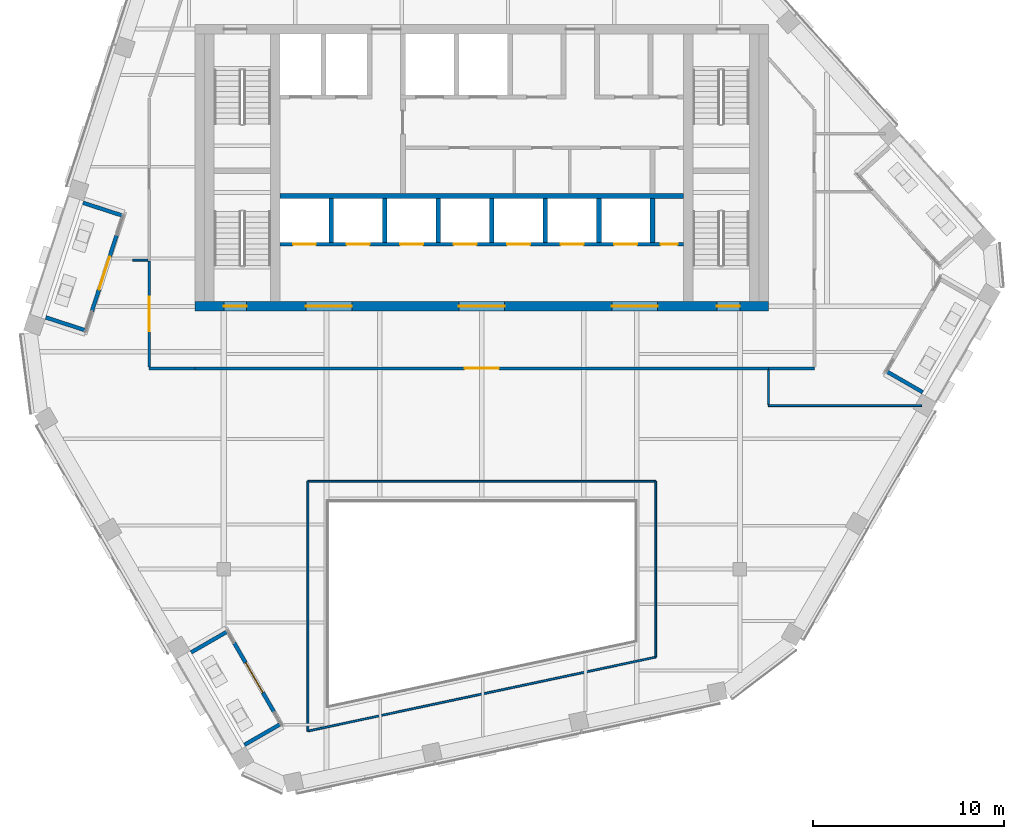
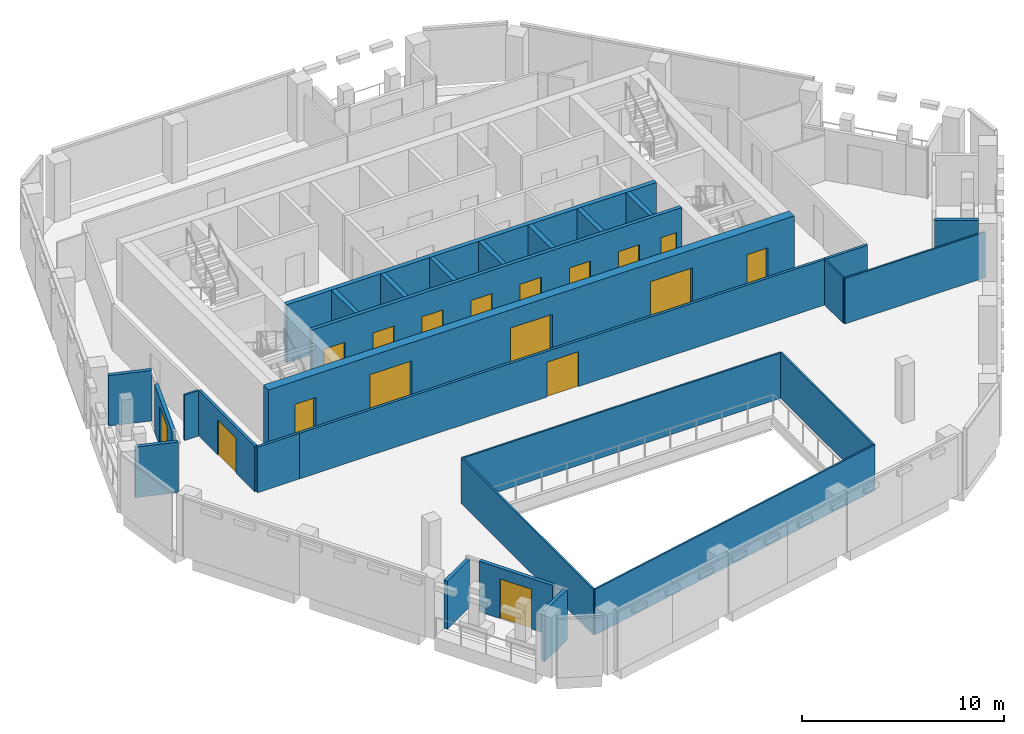
# One storey, part 13 of 22: 28 walls, 17 doors, 17 openings.
"""IFC4 building model written with IfcOpenShell, lengths in metres."""

import ifcopenshell
import ifcopenshell.guid

model = None  # the IFC model being written
_history = None  # IfcOwnerHistory: only IFC2X3 demands one
_inside = {}  # id of a spatial element -> (the spatial element, [elements in it])
_under = {}  # id of a project, library or spatial element -> (it, [spatial elements below it])
_declared = {}  # id of a project -> (the project, [libraries it declares])
_typed = {}  # id of a type object -> (the type object, [elements of that type])
_made_of = {}  # id of a material, layer set ... -> (it, [elements and type objects made of it])


def new_model(schema):
    """Start an empty IFC model of exactly this schema.

    Asked for "IFC4X3", IfcOpenShell would pick the latest addendum, in which some entities
    have other attributes; the version numbers below select the first issue.
    IFC2X3 requires an IfcOwnerHistory on every rooted entity: one is made here for all.
    """
    global model, _history
    if schema == "IFC4X3":
        model = ifcopenshell.file(schema_version=(4, 3, 0, 0))
    else:
        model = ifcopenshell.file(schema=schema)
    _inside.clear()
    _under.clear()
    _declared.clear()
    _typed.clear()
    _made_of.clear()
    _history = None
    if model.schema == "IFC2X3":
        org = make("IfcOrganization", Name="unknown")
        user = make(
            "IfcPersonAndOrganization",
            ThePerson=make("IfcPerson", FamilyName="unknown"),
            TheOrganization=org,
        )
        app = make(
            "IfcApplication",
            ApplicationDeveloper=org,
            Version="unknown",
            ApplicationFullName="unknown",
            ApplicationIdentifier="unknown",
        )
        _history = make(
            "IfcOwnerHistory",
            OwningUser=user,
            OwningApplication=app,
            ChangeAction="ADDED",
            CreationDate=0,
        )
    return model


def make(cls, **values):
    """One entity of the class cls with the attributes given. An attribute that is None is left unset."""
    return model.create_entity(
        cls, **{name: value for name, value in values.items() if value is not None}
    )


def rooted(cls, **values):
    """An entity with a GlobalId (a new one), such as an element, a storey or a relation."""
    return make(cls, GlobalId=ifcopenshell.guid.new(), OwnerHistory=_history, **values)


def si_unit(unit_type, name, prefix=None):
    """IfcSIUnit, for example si_unit("LENGTHUNIT", "METRE", prefix="MILLI")."""
    return make("IfcSIUnit", UnitType=unit_type, Prefix=prefix, Name=name)


def assignment(units):
    """IfcUnitAssignment: the units of a project."""
    return None if units is None else make("IfcUnitAssignment", Units=units)


def point(xyz):
    """IfcCartesianPoint."""
    return None if xyz is None else make("IfcCartesianPoint", Coordinates=xyz)


def direction(xyz):
    """IfcDirection."""
    return None if xyz is None else make("IfcDirection", DirectionRatios=xyz)


def frame(location, z_axis=None, x_axis=None):
    """IfcAxis2Placement3D, a coordinate frame: its origin and axes. An axis left out is left unset."""
    return make(
        "IfcAxis2Placement3D",
        Location=point(location),
        Axis=direction(z_axis),
        RefDirection=direction(x_axis),
    )


def frame_2d(location, x_axis=None):
    """IfcAxis2Placement2D, a coordinate frame in the plane: its origin and x axis."""
    return make(
        "IfcAxis2Placement2D", Location=point(location), RefDirection=direction(x_axis)
    )


def origin():
    """The frame at (0, 0, 0) with its axes left unset."""
    return frame((0.0, 0.0, 0.0))


def place(relative_to, where):
    """IfcLocalPlacement: puts the frame where relative to a parent placement (None: the world)."""
    return make(
        "IfcLocalPlacement", PlacementRelTo=relative_to, RelativePlacement=where
    )


def context(
    kind, dimensions, precision=None, world=None, true_north=None, identifier=None
):
    """IfcGeometricRepresentationContext, for example the 3D "Model" context."""
    return make(
        "IfcGeometricRepresentationContext",
        ContextIdentifier=identifier,
        ContextType=kind,
        CoordinateSpaceDimension=dimensions,
        Precision=precision,
        WorldCoordinateSystem=world,
        TrueNorth=true_north,
    )


def subcontext(parent, identifier, kind, view, scale=None):
    """IfcGeometricRepresentationSubContext, for example "Body" below "Model"."""
    return make(
        "IfcGeometricRepresentationSubContext",
        ContextIdentifier=identifier,
        ContextType=kind,
        ParentContext=parent,
        TargetScale=scale,
        TargetView=view,
    )


def project(units=None, contexts=None):
    """IfcProject with its units and contexts."""
    return rooted(
        "IfcProject",
        Name="project",
        RepresentationContexts=contexts,
        UnitsInContext=assignment(units),
    )


def spatial(cls, under=None, at=None, **own):
    """A site, building, storey or space (cls), placed at a placement, below another one or the project."""
    s = rooted(cls, ObjectPlacement=at, **own)
    if under is not None:
        _under.setdefault(under.id(), (under, []))[1].append(s)
    return s


def profile(cls, at=None, kind="AREA", **sizes):
    """A parametric profile (cls). Its sizes go by their IFC names, for example OverallWidth=200.0."""
    return make(cls, ProfileType=kind, Position=at, **sizes)


def rectangle(**sizes):
    """IfcRectangleProfileDef."""
    return profile("IfcRectangleProfileDef", **sizes)


def extrude(swept, where, along, depth):
    """IfcExtrudedAreaSolid: the profile swept, set in the frame where, extruded along a direction by depth."""
    return make(
        "IfcExtrudedAreaSolid",
        SweptArea=swept,
        Position=where,
        ExtrudedDirection=direction(along),
        Depth=depth,
    )


def shape(context_of_items, identifier, shape_type, items):
    """IfcShapeRepresentation: the items that make up one representation, for example the "Body"."""
    return make(
        "IfcShapeRepresentation",
        ContextOfItems=context_of_items,
        RepresentationIdentifier=identifier,
        RepresentationType=shape_type,
        Items=items,
    )


def material(Name=None, Category=None):
    """IfcMaterial."""
    return make("IfcMaterial", Name=Name, Category=Category)


def layer(
    of_material, thickness, ventilated=None, Name=None, Category=None, Priority=None
):
    """IfcMaterialLayer: one layer of a wall or slab, of a material (None: an air gap)."""
    return make(
        "IfcMaterialLayer",
        Material=of_material,
        LayerThickness=thickness,
        IsVentilated=ventilated,
        Name=Name,
        Category=Category,
        Priority=Priority,
    )


def layer_set(layers, Name=None):
    """IfcMaterialLayerSet."""
    return make("IfcMaterialLayerSet", MaterialLayers=layers, LayerSetName=Name)


def made_of(thing, what):
    """Note that an element or type object is made of a material, layer set ...; save() writes the relation."""
    if what is not None:
        _made_of.setdefault(what.id(), (what, []))[1].append(thing)
    return thing


def type_object(cls, material=None, **own):
    """A type object (cls), such as IfcWallType, which elements share."""
    return made_of(rooted(cls, **own), material)


def element(
    cls,
    number,
    at=None,
    inside=None,
    cuts=None,
    type_object=None,
    material=None,
    context=None,
    identifier="Body",
    shape_type=None,
    held_by="IfcProductDefinitionShape",
    body=None,
    shapes=None,
    **own,
):
    """One element of the class cls, such as IfcWall. Its Tag is "e" and its number.

    at: its placement. inside: the storey or other place that contains it. cuts: it is an
    opening in that element (IfcRelVoidsElement). A single representation is given by context,
    identifier, shape_type and body (its items); several are given by shapes. held_by: the class
    of the entity that holds the representations. save() writes the other relations.
    """
    e = rooted(cls, Tag="e%d" % number, ObjectPlacement=at, **own)
    if body is not None:
        shapes = [shape(context, identifier, shape_type, body)]
    if shapes is not None:
        e.Representation = make(held_by, Representations=shapes)
    if inside is not None:
        _inside.setdefault(inside.id(), (inside, []))[1].append(e)
    if cuts is not None:
        rooted(
            "IfcRelVoidsElement", RelatingBuildingElement=cuts, RelatedOpeningElement=e
        )
    if type_object is not None:
        _typed.setdefault(type_object.id(), (type_object, []))[1].append(e)
    return made_of(e, material)


def fill(opening, filler):
    """IfcRelFillsElement: the door or window that sits in an opening."""
    return rooted(
        "IfcRelFillsElement",
        RelatingOpeningElement=opening,
        RelatedBuildingElement=filler,
    )


def aggregate(whole, parts):
    """IfcRelAggregates: a whole, such as a stair, and the parts it consists of."""
    return rooted("IfcRelAggregates", RelatingObject=whole, RelatedObjects=parts)


def save(model, path):
    """Write the relations noted so far, then the file.

    IfcRelAggregates (storeys below a building ...), IfcRelContainedInSpatialStructure (elements
    in a storey), IfcRelDefinesByType, IfcRelAssociatesMaterial and IfcRelDeclares: one each for
    every whole, place, type object, material and project.
    """
    for whole, parts in _under.values():
        aggregate(whole, parts)
    for where, things in _inside.values():
        rooted(
            "IfcRelContainedInSpatialStructure",
            RelatedElements=things,
            RelatingStructure=where,
        )
    for kind, things in _typed.values():
        rooted("IfcRelDefinesByType", RelatedObjects=things, RelatingType=kind)
    for what, things in _made_of.values():
        rooted("IfcRelAssociatesMaterial", RelatedObjects=things, RelatingMaterial=what)
    for by, libraries in _declared.values():
        rooted("IfcRelDeclares", RelatingContext=by, RelatedDefinitions=libraries)
    model.write(path)


model = new_model("IFC4")

# Units and contexts
model_context = context("Model", 3, precision=1e-05, world=origin(), true_north=direction((0.0, 1.0)))
body_context = subcontext(model_context, "Body", "Model", "MODEL_VIEW")
ifc_project = project(units=[si_unit("LENGTHUNIT", "METRE"), si_unit("AREAUNIT", "SQUARE_METRE"), si_unit("VOLUMEUNIT", "CUBIC_METRE"), si_unit("PLANEANGLEUNIT", "RADIAN"), si_unit("MASSUNIT", "GRAM", prefix="KILO")], contexts=[model_context])

# Site, building, storey
site_placement = place(None, origin())
site = spatial("IfcSite", under=ifc_project, at=site_placement, CompositionType="ELEMENT")
building_placement = place(site_placement, origin())
building = spatial("IfcBuilding", under=site, at=building_placement, Name="Isthmus Gate Tower", CompositionType="ELEMENT")
storey_placement = place(building_placement, frame((0.0, 0.0, 264.60009765625)))
storey = spatial("IfcBuildingStorey", under=building, at=storey_placement, Name="L67", CompositionType="ELEMENT", Elevation=264.60009765625)

# Walls
ifc_material_1 = material(Name="Fire-rated laminated glass in steel frame", Category="steel")
ifc_layer_1 = layer(ifc_material_1, 0.10009765625)
ifc_layer_set_1 = layer_set([ifc_layer_1], Name="ATRIUM SCREEN GLAZED WALL 100 120 MIN")
wall_type_1 = type_object("IfcWallType", Name="ATRIUM SCREEN GLAZED WALL 100 120 MIN", PredefinedType="PARTITIONING", material=ifc_layer_set_1)
wall_1_placement = place(storey_placement, frame((-9.10009765625, -8.89990234375, 0.0), z_axis=(0.0, 0.0, 1.0), x_axis=(1.0, 0.0, 0.0)))
element("IfcWall", 1, at=wall_1_placement, inside=storey, type_object=wall_type_1, Name="L67 atrium screen", PredefinedType="PARTITIONING", context=body_context, shape_type="SweptSolid", body=[
    extrude(rectangle(XDim=18.2001953125, YDim=0.10009765625, at=frame_2d((9.10009765625, 0.0))), origin(), (0.0, 0.0, 1.0), 2.75048828125),
])
wall_2_placement = place(storey_placement, frame((9.10009765625, -8.89990234375, 0.0), z_axis=(0.0, 0.0, 1.0), x_axis=(0.0, -1.0, 0.0)))
element("IfcWall", 2, at=wall_2_placement, inside=storey, type_object=wall_type_1, Name="L67 atrium screen", PredefinedType="PARTITIONING", context=body_context, shape_type="SweptSolid", body=[
    extrude(rectangle(XDim=9.200927734375, YDim=0.10009765625, at=frame_2d((4.6005859375, 0.0))), origin(), (0.0, 0.0, 1.0), 2.75048828125),
])
wall_3_placement = place(storey_placement, frame((9.10009765625, -18.100830078125, 0.0), z_axis=(0.0, 0.0, 1.0), x_axis=(-0.978146710971, -0.207915876778, 0.0)))
element("IfcWall", 3, at=wall_3_placement, inside=storey, type_object=wall_type_1, Name="L67 atrium screen", PredefinedType="PARTITIONING", context=body_context, shape_type="SweptSolid", body=[
    extrude(rectangle(XDim=18.60693359375, YDim=0.10009765625, at=frame_2d((9.303466796875, 0.0))), origin(), (0.0, 0.0, 1.0), 2.75048828125),
])
wall_4_placement = place(storey_placement, frame((-9.10009765625, -21.969482421875, 0.0), z_axis=(0.0, 0.0, 1.0), x_axis=(0.0, 1.0, 0.0)))
element("IfcWall", 4, at=wall_4_placement, inside=storey, type_object=wall_type_1, Name="L67 atrium screen", PredefinedType="PARTITIONING", context=body_context, shape_type="SweptSolid", body=[
    extrude(rectangle(XDim=13.069580078125, YDim=0.10009765625, at=frame_2d((6.53466796875, 0.0))), origin(), (0.0, 0.0, 1.0), 2.75048828125),
])

# Wall, opening, door
ifc_material_2 = material(Name="Gypsum board on steel studs, fire-rated", Category="steel")
ifc_layer_2 = layer(ifc_material_2, 0.14990234375)
ifc_layer_set_2 = layer_set([ifc_layer_2], Name="CORRIDOR WALL 150 60 MIN")
wall_type_2 = type_object("IfcWallType", Name="CORRIDOR WALL 150 60 MIN", PredefinedType="PARTITIONING", material=ifc_layer_set_2)
wall_5_placement = place(storey_placement, frame((15.0, -3.0, 0.0), z_axis=(0.0, 0.0, 1.0), x_axis=(-1.0, 0.0, 0.0)))
wall_5 = element("IfcWall", 5, at=wall_5_placement, inside=storey, type_object=wall_type_2, Name="L67 Corridor Wall 150 60 Min", PredefinedType="PARTITIONING", context=body_context, shape_type="SweptSolid", body=[
    extrude(rectangle(XDim=30.0, YDim=0.14990234375, at=frame_2d((15.0, 0.0))), origin(), (0.0, 0.0, 1.0), 2.75048828125),
])
opening_1_placement = place(wall_5_placement, frame((14.10009765625, 0.0, 0.0)))
opening_1 = element("IfcOpeningElement", 6, at=opening_1_placement, cuts=wall_5, Name="Opening DT-T6A-07", PredefinedType="OPENING", context=body_context, shape_type="SweptSolid", body=[
    extrude(rectangle(XDim=1.800048828125, YDim=2.10009765625, at=frame_2d((0.89990234375, 1.050048828125))), frame((0.0, 0.0849609375, 0.0), z_axis=(0.0, -1.0, 0.0), x_axis=(1.0, 0.0, 0.0)), (0.0, 0.0, 1.0), 0.169921875),
])
ifc_material_3 = material(Name="Solid core timber door leaf, fire-rated", Category="wood")
door_type_1 = type_object("IfcDoorType", Name="FIRE DOOR ROOM 1800 X 2100 60 MIN", OperationType="DOUBLE_DOOR_DOUBLE_SWING", PredefinedType="DOOR", material=ifc_material_3)
door_1_placement = place(opening_1_placement, origin())
door_1 = element("IfcDoor", 7, at=door_1_placement, inside=storey, type_object=door_type_1, Name="L67 room door", OperationType="DOUBLE_DOOR_DOUBLE_SWING", OverallHeight=2.10009765625, OverallWidth=1.800048828125, PredefinedType="DOOR", context=body_context, shape_type="SweptSolid", body=[
    extrude(rectangle(XDim=1.800048828125, YDim=2.10009765625, at=frame_2d((0.89990234375, 1.050048828125))), frame((0.0, 0.02490234375, 0.0), z_axis=(0.0, -1.0, 0.0), x_axis=(1.0, 0.0, 0.0)), (0.0, 0.0, 1.0), 0.050048828125),
])
fill(opening_1, door_1)

# Walls
for number, where, z_axis, x_axis, name in (
    (8, (-15.0, -3.0, 0.0), (0.0, 0.0, 1.0), (-1.0, 0.0, 0.0), "L67 Corridor Wall 150 60 Min"),
    (9, (17.39990234375, -3.0, 0.0), (0.0, 0.0, 1.0), (-1.0, 0.0, 0.0), "L67 Corridor Wall 150 60 Min"),
):
    element("IfcWall", number, at=place(storey_placement, frame(where, z_axis=z_axis, x_axis=x_axis)), inside=storey, type_object=wall_type_2, Name=name, PredefinedType="PARTITIONING", context=body_context, shape_type="SweptSolid", body=[
        extrude(rectangle(XDim=2.39990234375, YDim=0.14990234375, at=frame_2d((1.199951171875, 0.0))), origin(), (0.0, 0.0, 1.0), 2.75048828125),
    ])

# Wall, opening, door
wall_6_placement = place(storey_placement, frame((-17.39990234375, -2.925048828125, 0.0), z_axis=(0.0, 0.0, 1.0), x_axis=(0.0, 1.0, 0.0)))
wall_6 = element("IfcWall", 10, at=wall_6_placement, inside=storey, type_object=wall_type_2, Name="L67 Corridor Wall 150 60 Min", PredefinedType="PARTITIONING", context=body_context, shape_type="SweptSolid", body=[
    extrude(rectangle(XDim=5.545166015625, YDim=0.14990234375, at=frame_2d((2.7724609375, 0.0))), origin(), (0.0, 0.0, 1.0), 2.75048828125),
])
opening_2_placement = place(wall_6_placement, frame((1.87255859375, 0.0, 0.0)))
opening_2 = element("IfcOpeningElement", 11, at=opening_2_placement, cuts=wall_6, Name="Opening DT-T6A-08", PredefinedType="OPENING", context=body_context, shape_type="SweptSolid", body=[
    extrude(rectangle(XDim=1.800048828125, YDim=2.10009765625, at=frame_2d((0.89990234375, 1.050048828125))), frame((0.0, 0.0849609375, 0.0), z_axis=(0.0, -1.0, 0.0), x_axis=(1.0, 0.0, 0.0)), (0.0, 0.0, 1.0), 0.169921875),
])
door_2_placement = place(opening_2_placement, origin())
door_2 = element("IfcDoor", 12, at=door_2_placement, inside=storey, type_object=door_type_1, Name="L67 room door", OperationType="DOUBLE_DOOR_DOUBLE_SWING", OverallHeight=2.10009765625, OverallWidth=1.800048828125, PredefinedType="DOOR", context=body_context, shape_type="SweptSolid", body=[
    extrude(rectangle(XDim=1.800048828125, YDim=2.10009765625, at=frame_2d((0.89990234375, 1.050048828125))), frame((0.0, 0.02490234375, 0.0), z_axis=(0.0, -1.0, 0.0), x_axis=(1.0, 0.0, 0.0)), (0.0, 0.0, 1.0), 0.050048828125),
])
fill(opening_2, door_2)

ifc_material_4 = material(Name="Precast concrete C40/50", Category="concrete")
ifc_layer_3 = layer(ifc_material_4, 0.199951171875)
ifc_layer_set_3 = layer_set([ifc_layer_3], Name="LOGGIA WALL 200")
wall_type_3 = type_object("IfcWallType", Name="LOGGIA WALL 200", PredefinedType="SOLIDWALL", material=ifc_layer_set_3)
wall_7_placement = place(storey_placement, frame((-19.10009765625, 3.987548828125, 0.0), z_axis=(0.0, 0.0, 1.0), x_axis=(-0.30901640812, -0.951056706781, 0.0)))
wall_7 = element("IfcWall", 13, at=wall_7_placement, inside=storey, type_object=wall_type_3, Name="LOGGIA BACK WALL", PredefinedType="SOLIDWALL", context=body_context, shape_type="SweptSolid", body=[
    extrude(rectangle(XDim=4.199951171875, YDim=0.199951171875, at=frame_2d((2.10009765625, 0.0))), origin(), (0.0, 0.0, 1.0), 2.896728515625),
])
opening_3_placement = place(wall_7_placement, frame((1.199951171875, 0.0, 0.0)))
opening_3 = element("IfcOpeningElement", 14, at=opening_3_placement, cuts=wall_7, Name="Opening DE67-02", PredefinedType="OPENING", context=body_context, shape_type="SweptSolid", body=[
    extrude(rectangle(XDim=1.800048828125, YDim=2.39990234375, at=frame_2d((0.89990234375, 1.199951171875))), frame((0.0, 0.10986328125, 0.0), z_axis=(0.0, -1.0, 0.0), x_axis=(1.0, 0.0, 0.0)), (0.0, 0.0, 1.0), 0.219970703125),
])
ifc_material_5 = material(Name="Aluminium, pale champagne anodised, laminated glass", Category="aluminium")
door_type_2 = type_object("IfcDoorType", Name="LOGGIA DOOR SLIDING 1800 X 2400", OperationType="DOUBLE_DOOR_SLIDING", PredefinedType="DOOR", material=ifc_material_5)
door_3_placement = place(opening_3_placement, origin())
door_3 = element("IfcDoor", 15, at=door_3_placement, inside=storey, type_object=door_type_2, Name="DOOR DE67-02", OperationType="SINGLE_SWING_LEFT", OverallHeight=2.39990234375, OverallWidth=1.800048828125, PredefinedType="DOOR", context=body_context, shape_type="SweptSolid", body=[
    extrude(rectangle(XDim=1.800048828125, YDim=2.39990234375, at=frame_2d((0.89990234375, 1.199951171875))), frame((0.0, 0.02490234375, 0.0), z_axis=(0.0, -1.0, 0.0), x_axis=(1.0, 0.0, 0.0)), (0.0, 0.0, 1.0), 0.050048828125),
])
fill(opening_3, door_3)

# Walls
wall_8_placement = place(storey_placement, frame((-20.86669921875, 5.669189453125, 0.0), z_axis=(0.0, 0.0, 1.0), x_axis=(0.951059534302, -0.30900770575, 0.0)))
element("IfcWall", 16, at=wall_8_placement, inside=storey, type_object=wall_type_3, Name="LOGGIA SIDE WALL", PredefinedType="SOLIDWALL", context=body_context, shape_type="SweptSolid", body=[
    extrude(rectangle(XDim=2.183837890625, YDim=0.199951171875, at=frame_2d((1.091796875, 0.0))), origin(), (0.0, 0.0, 1.0), 3.0498046875),
])
wall_9_placement = place(storey_placement, frame((-22.815673828125, -0.328857421875, 0.0), z_axis=(0.0, 0.0, 1.0), x_axis=(0.951037354511, -0.309075962062, 0.0)))
element("IfcWall", 17, at=wall_9_placement, inside=storey, type_object=wall_type_3, Name="LOGGIA SIDE WALL", PredefinedType="SOLIDWALL", context=body_context, shape_type="SweptSolid", body=[
    extrude(rectangle(XDim=2.18408203125, YDim=0.199951171875, at=frame_2d((1.092041015625, 0.0))), origin(), (0.0, 0.0, 1.0), 3.0498046875),
])

# Wall, opening, door
wall_10_placement = place(storey_placement, frame((-12.9580078125, -17.356201171875, 0.0), z_axis=(0.0, 0.0, 1.0), x_axis=(0.500027713859, -0.866009402589, 0.0)))
wall_10 = element("IfcWall", 18, at=wall_10_placement, inside=storey, type_object=wall_type_3, Name="LOGGIA BACK WALL", PredefinedType="SOLIDWALL", context=body_context, shape_type="SweptSolid", body=[
    extrude(rectangle(XDim=4.199951171875, YDim=0.199951171875, at=frame_2d((2.10009765625, 0.0))), origin(), (0.0, 0.0, 1.0), 3.0498046875),
])
opening_4_placement = place(wall_10_placement, frame((1.199951171875, 0.0, 0.0)))
opening_4 = element("IfcOpeningElement", 19, at=opening_4_placement, cuts=wall_10, Name="Opening DE67-03", PredefinedType="OPENING", context=body_context, shape_type="SweptSolid", body=[
    extrude(rectangle(XDim=1.800048828125, YDim=2.39990234375, at=frame_2d((0.89990234375, 1.199951171875))), frame((0.0, 0.10986328125, 0.0), z_axis=(0.0, -1.0, 0.0), x_axis=(1.0, 0.0, 0.0)), (0.0, 0.0, 1.0), 0.219970703125),
])
door_4_placement = place(opening_4_placement, origin())
door_4 = element("IfcDoor", 20, at=door_4_placement, inside=storey, type_object=door_type_2, Name="DOOR DE67-03", OperationType="SINGLE_SWING_LEFT", OverallHeight=2.39990234375, OverallWidth=1.800048828125, PredefinedType="DOOR", context=body_context, shape_type="SweptSolid", body=[
    extrude(rectangle(XDim=1.800048828125, YDim=2.39990234375, at=frame_2d((0.89990234375, 1.199951171875))), frame((0.0, 0.02490234375, 0.0), z_axis=(0.0, -1.0, 0.0), x_axis=(1.0, 0.0, 0.0)), (0.0, 0.0, 1.0), 0.050048828125),
])
fill(opening_4, door_4)

# Walls
wall_11_placement = place(storey_placement, frame((-15.20947265625, -17.856689453125, 0.0), z_axis=(0.0, 0.0, 1.0), x_axis=(0.866040401994, 0.49997402144, 0.0)))
element("IfcWall", 21, at=wall_11_placement, inside=storey, type_object=wall_type_3, Name="LOGGIA SIDE WALL", PredefinedType="SOLIDWALL", context=body_context, shape_type="SweptSolid", body=[
    extrude(rectangle(XDim=2.18408203125, YDim=0.199951171875, at=frame_2d((1.092041015625, 0.0))), origin(), (0.0, 0.0, 1.0), 2.896728515625),
])
wall_12_placement = place(storey_placement, frame((-12.4169921875, -22.69287109375, 0.0), z_axis=(0.0, 0.0, 1.0), x_axis=(0.866060862046, 0.499938579459, 0.0)))
element("IfcWall", 22, at=wall_12_placement, inside=storey, type_object=wall_type_3, Name="LOGGIA SIDE WALL", PredefinedType="SOLIDWALL", context=body_context, shape_type="SweptSolid", body=[
    extrude(rectangle(XDim=2.183837890625, YDim=0.199951171875, at=frame_2d((1.091796875, 0.0))), origin(), (0.0, 0.0, 1.0), 3.049072265625),
])
wall_13_placement = place(storey_placement, frame((23.06884765625, -4.243408203125, 0.0), z_axis=(0.0, 0.0, 1.0), x_axis=(-0.866012456841, 0.500022424093, 0.0)))
element("IfcWall", 23, at=wall_13_placement, inside=storey, type_object=wall_type_3, Name="LOGGIA SIDE WALL", PredefinedType="SOLIDWALL", context=body_context, shape_type="SweptSolid", body=[
    extrude(rectangle(XDim=2.18408203125, YDim=0.199951171875, at=frame_2d((1.092041015625, 0.0))), origin(), (0.0, 0.0, 1.0), 3.0498046875),
])

# Wall, openings, doors
ifc_material_6 = material(Name="Concrete f'c 50 MPa", Category="concrete")
ifc_layer_4 = layer(ifc_material_6, 0.5)
ifc_layer_set_4 = layer_set([ifc_layer_4], Name="RC CORE WALL 500 F'C 50")
wall_type_4 = type_object("IfcWallType", Name="RC CORE WALL 500 F'C 50", PredefinedType="SOLIDWALL", material=ifc_layer_set_4)
wall_14_placement = place(storey_placement, frame((-15.0, 0.25, -0.150146484375), z_axis=(0.0, 0.0, 1.0), x_axis=(1.0, 0.0, 0.0)))
wall_14 = element("IfcWall", 24, at=wall_14_placement, inside=storey, type_object=wall_type_4, Name="str-corewall-L67-S", PredefinedType="SOLIDWALL", context=body_context, shape_type="SweptSolid", body=[
    extrude(rectangle(XDim=30.0, YDim=0.5, at=frame_2d((15.0, 0.0))), origin(), (0.0, 0.0, 1.0), 3.650146484375),
])
opening_5_placement = place(wall_14_placement, frame((5.800048828125, 0.0, 0.14990234375)))
opening_5 = element("IfcOpeningElement", 25, at=opening_5_placement, cuts=wall_14, Name="Opening DC-A17-10", PredefinedType="OPENING", context=body_context, shape_type="SweptSolid", body=[
    extrude(rectangle(XDim=2.39990234375, YDim=2.39990234375, at=frame_2d((1.199951171875, 1.199951171875))), frame((0.0, 0.260009765625, 0.0), z_axis=(0.0, -1.0, 0.0), x_axis=(1.0, 0.0, 0.0)), (0.0, 0.0, 1.0), 0.52001953125),
])
opening_6_placement = place(wall_14_placement, frame((13.800048828125, 0.0, 0.14990234375)))
opening_6 = element("IfcOpeningElement", 26, at=opening_6_placement, cuts=wall_14, Name="Opening DC-A17-11", PredefinedType="OPENING", context=body_context, shape_type="SweptSolid", body=[
    extrude(rectangle(XDim=2.39990234375, YDim=2.39990234375, at=frame_2d((1.199951171875, 1.199951171875))), frame((0.0, 0.260009765625, 0.0), z_axis=(0.0, -1.0, 0.0), x_axis=(1.0, 0.0, 0.0)), (0.0, 0.0, 1.0), 0.52001953125),
])
opening_7_placement = place(wall_14_placement, frame((21.800048828125, 0.0, 0.14990234375)))
opening_7 = element("IfcOpeningElement", 27, at=opening_7_placement, cuts=wall_14, Name="Opening DC-A17-12", PredefinedType="OPENING", context=body_context, shape_type="SweptSolid", body=[
    extrude(rectangle(XDim=2.39990234375, YDim=2.39990234375, at=frame_2d((1.199951171875, 1.199951171875))), frame((0.0, 0.260009765625, 0.0), z_axis=(0.0, -1.0, 0.0), x_axis=(1.0, 0.0, 0.0)), (0.0, 0.0, 1.0), 0.52001953125),
])
opening_8_placement = place(wall_14_placement, frame((1.5, 0.0, 0.14990234375)))
opening_8 = element("IfcOpeningElement", 28, at=opening_8_placement, cuts=wall_14, Name="Opening DC-A17-17", PredefinedType="OPENING", context=body_context, shape_type="SweptSolid", body=[
    extrude(rectangle(XDim=1.199951171875, YDim=2.10009765625, at=frame_2d((0.60009765625, 1.050048828125))), frame((0.0, 0.260009765625, 0.0), z_axis=(0.0, -1.0, 0.0), x_axis=(1.0, 0.0, 0.0)), (0.0, 0.0, 1.0), 0.52001953125),
])
opening_9_placement = place(wall_14_placement, frame((27.300048828125, 0.0, 0.14990234375)))
opening_9 = element("IfcOpeningElement", 29, at=opening_9_placement, cuts=wall_14, Name="Opening DC-A17-18", PredefinedType="OPENING", context=body_context, shape_type="SweptSolid", body=[
    extrude(rectangle(XDim=1.199951171875, YDim=2.10009765625, at=frame_2d((0.60009765625, 1.050048828125))), frame((0.0, 0.260009765625, 0.0), z_axis=(0.0, -1.0, 0.0), x_axis=(1.0, 0.0, 0.0)), (0.0, 0.0, 1.0), 0.52001953125),
])
ifc_material_7 = material(Name="Laminated safety glass in steel frame, fire-rated", Category="steel")
door_type_3 = type_object("IfcDoorType", Name="LOBBY ENTRANCE FIRE DOOR 2400 X 2400 60 MIN", OperationType="DOUBLE_DOOR_DOUBLE_SWING", PredefinedType="DOOR", material=ifc_material_7)
door_5_placement = place(opening_5_placement, origin())
door_5 = element("IfcDoor", 30, at=door_5_placement, inside=storey, type_object=door_type_3, Name="Lobby Entrance PS-W", OperationType="DOUBLE_DOOR_DOUBLE_SWING", OverallHeight=2.39990234375, OverallWidth=2.39990234375, PredefinedType="DOOR", context=body_context, shape_type="SweptSolid", body=[
    extrude(rectangle(XDim=2.39990234375, YDim=2.39990234375, at=frame_2d((1.199951171875, 1.199951171875))), frame((0.0, 0.02490234375, 0.0), z_axis=(0.0, -1.0, 0.0), x_axis=(1.0, 0.0, 0.0)), (0.0, 0.0, 1.0), 0.050048828125),
])
fill(opening_5, door_5)
door_6_placement = place(opening_6_placement, origin())
door_6 = element("IfcDoor", 31, at=door_6_placement, inside=storey, type_object=door_type_3, Name="Lobby Entrance PS-C", OperationType="DOUBLE_DOOR_DOUBLE_SWING", OverallHeight=2.39990234375, OverallWidth=2.39990234375, PredefinedType="DOOR", context=body_context, shape_type="SweptSolid", body=[
    extrude(rectangle(XDim=2.39990234375, YDim=2.39990234375, at=frame_2d((1.199951171875, 1.199951171875))), frame((0.0, 0.02490234375, 0.0), z_axis=(0.0, -1.0, 0.0), x_axis=(1.0, 0.0, 0.0)), (0.0, 0.0, 1.0), 0.050048828125),
])
fill(opening_6, door_6)
door_7_placement = place(opening_7_placement, origin())
door_7 = element("IfcDoor", 32, at=door_7_placement, inside=storey, type_object=door_type_3, Name="Lobby Entrance PS-E", OperationType="DOUBLE_DOOR_DOUBLE_SWING", OverallHeight=2.39990234375, OverallWidth=2.39990234375, PredefinedType="DOOR", context=body_context, shape_type="SweptSolid", body=[
    extrude(rectangle(XDim=2.39990234375, YDim=2.39990234375, at=frame_2d((1.199951171875, 1.199951171875))), frame((0.0, 0.02490234375, 0.0), z_axis=(0.0, -1.0, 0.0), x_axis=(1.0, 0.0, 0.0)), (0.0, 0.0, 1.0), 0.050048828125),
])
fill(opening_7, door_7)
ifc_material_8 = material(Name="Steel door leaf, fire-rated", Category="steel")
door_type_4 = type_object("IfcDoorType", Name="STAIR FIRE DOOR 1200 X 2100 90 MIN", OperationType="SINGLE_SWING_LEFT", PredefinedType="DOOR", material=ifc_material_8)
door_8_placement = place(opening_8_placement, origin())
door_8 = element("IfcDoor", 33, at=door_8_placement, inside=storey, type_object=door_type_4, Name="Exit Stair 7 Door", OperationType="SINGLE_SWING_LEFT", OverallHeight=2.10009765625, OverallWidth=1.199951171875, PredefinedType="DOOR", context=body_context, shape_type="SweptSolid", body=[
    extrude(rectangle(XDim=1.199951171875, YDim=2.10009765625, at=frame_2d((0.60009765625, 1.050048828125))), frame((0.0, 0.02490234375, 0.0), z_axis=(0.0, -1.0, 0.0), x_axis=(1.0, 0.0, 0.0)), (0.0, 0.0, 1.0), 0.050048828125),
])
fill(opening_8, door_8)
door_9_placement = place(opening_9_placement, origin())
door_9 = element("IfcDoor", 34, at=door_9_placement, inside=storey, type_object=door_type_4, Name="Exit Stair 8 Door", OperationType="SINGLE_SWING_RIGHT", OverallHeight=2.10009765625, OverallWidth=1.199951171875, PredefinedType="DOOR", context=body_context, shape_type="SweptSolid", body=[
    extrude(rectangle(XDim=1.199951171875, YDim=2.10009765625, at=frame_2d((0.60009765625, 1.050048828125))), frame((0.0, 0.02490234375, 0.0), z_axis=(0.0, -1.0, 0.0), x_axis=(1.0, 0.0, 0.0)), (0.0, 0.0, 1.0), 0.050048828125),
])
fill(opening_9, door_9)

# Walls
ifc_material_9 = material(Name="Gypsum board on steel studs, fire-rated", Category="steel")
ifc_layer_5 = layer(ifc_material_9, 0.10009765625)
ifc_layer_set_5 = layer_set([ifc_layer_5], Name="ROOM PARTITION 100 30 MIN")
wall_type_5 = type_object("IfcWallType", Name="ROOM PARTITION 100 30 MIN", PredefinedType="PARTITIONING", material=ifc_layer_set_5)
wall_15_placement = place(storey_placement, frame((-18.269287109375, 2.669921875, 0.0), z_axis=(0.0, 0.0, 1.0), x_axis=(1.0, 0.0, 0.0)))
element("IfcWall", 35, at=wall_15_placement, inside=storey, type_object=wall_type_5, Name="L67 Room Partition 100 30 Min", PredefinedType="PARTITIONING", context=body_context, shape_type="SweptSolid", body=[
    extrude(rectangle(XDim=0.794189453125, YDim=0.10009765625, at=frame_2d((0.39697265625, 0.0))), origin(), (0.0, 0.0, 1.0), 2.75048828125),
])
wall_16_placement = place(storey_placement, frame((15.0, -4.945068359375, 0.0), z_axis=(0.0, 0.0, 1.0), x_axis=(1.0, 0.0, 0.0)))
element("IfcWall", 36, at=wall_16_placement, inside=storey, type_object=wall_type_5, Name="L67 Room Partition 100 30 Min", PredefinedType="PARTITIONING", context=body_context, shape_type="SweptSolid", body=[
    extrude(rectangle(XDim=8.010009765625, YDim=0.10009765625, at=frame_2d((4.0048828125, 0.0))), origin(), (0.0, 0.0, 1.0), 2.75048828125),
])
wall_17_placement = place(storey_placement, frame((15.0, -4.89501953125, 0.0), z_axis=(0.0, 0.0, 1.0), x_axis=(0.0, 1.0, 0.0)))
element("IfcWall", 37, at=wall_17_placement, inside=storey, type_object=wall_type_5, Name="L67 Room Partition 100 30 Min", PredefinedType="PARTITIONING", context=body_context, shape_type="SweptSolid", body=[
    extrude(rectangle(XDim=1.820068359375, YDim=0.10009765625, at=frame_2d((0.91015625, 0.0))), origin(), (0.0, 0.0, 1.0), 2.75048828125),
])

# Wall, openings, doors
ifc_material_10 = material(Name="Fire-rated blockwork masonry, 15 MPa", Category="masonry")
ifc_layer_6 = layer(ifc_material_10, 0.199951171875)
ifc_layer_set_6 = layer_set([ifc_layer_6], Name="SHAFT FRONT WALL 200 120 MIN")
wall_type_6 = type_object("IfcWallType", Name="SHAFT FRONT WALL 200 120 MIN", PredefinedType="PARTITIONING", material=ifc_layer_set_6)
wall_18_placement = place(storey_placement, frame((-10.550048828125, 3.5, 0.0), z_axis=(0.0, 0.0, 1.0), x_axis=(1.0, 0.0, 0.0)))
wall_18 = element("IfcWall", 38, at=wall_18_placement, inside=storey, type_object=wall_type_6, Name="L67 SHAFT FRONT WALL 200 120 MIN", PredefinedType="PARTITIONING", context=body_context, shape_type="SweptSolid", body=[
    extrude(rectangle(XDim=21.10009765625, YDim=0.199951171875, at=frame_2d((10.550048828125, 0.0))), origin(), (0.0, 0.0, 1.0), 3.5),
])
opening_10_placement = place(wall_18_placement, frame((0.675048828125, 0.0, 0.0)))
opening_10 = element("IfcOpeningElement", 39, at=opening_10_placement, cuts=wall_18, Name="Opening LD-LC1", PredefinedType="OPENING", context=body_context, shape_type="SweptSolid", body=[
    extrude(rectangle(XDim=1.199951171875, YDim=2.10009765625, at=frame_2d((0.60009765625, 1.050048828125))), frame((0.0, 0.10986328125, 0.0), z_axis=(0.0, -1.0, 0.0), x_axis=(1.0, 0.0, 0.0)), (0.0, 0.0, 1.0), 0.219970703125),
])
opening_11_placement = place(wall_18_placement, frame((3.47509765625, 0.0, 0.0)))
opening_11 = element("IfcOpeningElement", 40, at=opening_11_placement, cuts=wall_18, Name="Opening LD-LC2", PredefinedType="OPENING", context=body_context, shape_type="SweptSolid", body=[
    extrude(rectangle(XDim=1.199951171875, YDim=2.10009765625, at=frame_2d((0.60009765625, 1.050048828125))), frame((0.0, 0.10986328125, 0.0), z_axis=(0.0, -1.0, 0.0), x_axis=(1.0, 0.0, 0.0)), (0.0, 0.0, 1.0), 0.219970703125),
])
opening_12_placement = place(wall_18_placement, frame((6.27490234375, 0.0, 0.0)))
opening_12 = element("IfcOpeningElement", 41, at=opening_12_placement, cuts=wall_18, Name="Opening LD-LC3", PredefinedType="OPENING", context=body_context, shape_type="SweptSolid", body=[
    extrude(rectangle(XDim=1.199951171875, YDim=2.10009765625, at=frame_2d((0.60009765625, 1.050048828125))), frame((0.0, 0.10986328125, 0.0), z_axis=(0.0, -1.0, 0.0), x_axis=(1.0, 0.0, 0.0)), (0.0, 0.0, 1.0), 0.219970703125),
])
opening_13_placement = place(wall_18_placement, frame((9.074951171875, 0.0, 0.0)))
opening_13 = element("IfcOpeningElement", 42, at=opening_13_placement, cuts=wall_18, Name="Opening LD-LC4", PredefinedType="OPENING", context=body_context, shape_type="SweptSolid", body=[
    extrude(rectangle(XDim=1.199951171875, YDim=2.10009765625, at=frame_2d((0.60009765625, 1.050048828125))), frame((0.0, 0.10986328125, 0.0), z_axis=(0.0, -1.0, 0.0), x_axis=(1.0, 0.0, 0.0)), (0.0, 0.0, 1.0), 0.219970703125),
])
opening_14_placement = place(wall_18_placement, frame((11.875, 0.0, 0.0)))
opening_14 = element("IfcOpeningElement", 43, at=opening_14_placement, cuts=wall_18, Name="Opening LD-LC5", PredefinedType="OPENING", context=body_context, shape_type="SweptSolid", body=[
    extrude(rectangle(XDim=1.199951171875, YDim=2.10009765625, at=frame_2d((0.60009765625, 1.050048828125))), frame((0.0, 0.10986328125, 0.0), z_axis=(0.0, -1.0, 0.0), x_axis=(1.0, 0.0, 0.0)), (0.0, 0.0, 1.0), 0.219970703125),
])
opening_15_placement = place(wall_18_placement, frame((14.675048828125, 0.0, 0.0)))
opening_15 = element("IfcOpeningElement", 44, at=opening_15_placement, cuts=wall_18, Name="Opening LD-LC6", PredefinedType="OPENING", context=body_context, shape_type="SweptSolid", body=[
    extrude(rectangle(XDim=1.199951171875, YDim=2.10009765625, at=frame_2d((0.60009765625, 1.050048828125))), frame((0.0, 0.10986328125, 0.0), z_axis=(0.0, -1.0, 0.0), x_axis=(1.0, 0.0, 0.0)), (0.0, 0.0, 1.0), 0.219970703125),
])
opening_16_placement = place(wall_18_placement, frame((17.47509765625, 0.0, 0.0)))
opening_16 = element("IfcOpeningElement", 45, at=opening_16_placement, cuts=wall_18, Name="Opening LD-LC7", PredefinedType="OPENING", context=body_context, shape_type="SweptSolid", body=[
    extrude(rectangle(XDim=1.199951171875, YDim=2.10009765625, at=frame_2d((0.60009765625, 1.050048828125))), frame((0.0, 0.10986328125, 0.0), z_axis=(0.0, -1.0, 0.0), x_axis=(1.0, 0.0, 0.0)), (0.0, 0.0, 1.0), 0.219970703125),
])
opening_17_placement = place(wall_18_placement, frame((19.89990234375, 0.0, 0.0)))
opening_17 = element("IfcOpeningElement", 46, at=opening_17_placement, cuts=wall_18, Name="Opening DC-A17-02", PredefinedType="OPENING", context=body_context, shape_type="SweptSolid", body=[
    extrude(rectangle(XDim=0.89990234375, YDim=2.10009765625, at=frame_2d((0.449951171875, 1.050048828125))), frame((0.0, 0.10986328125, 0.0), z_axis=(0.0, -1.0, 0.0), x_axis=(1.0, 0.0, 0.0)), (0.0, 0.0, 1.0), 0.219970703125),
])
ifc_material_11 = material(Name="Stainless steel sliding leaf", Category="steel")
door_type_5 = type_object("IfcDoorType", Name="LIFT LANDING FIRE DOOR 1200 X 2100 90 MIN", OperationType="DOUBLE_DOOR_SLIDING", PredefinedType="DOOR", material=ifc_material_11)
door_10_placement = place(opening_10_placement, origin())
door_10 = element("IfcDoor", 47, at=door_10_placement, inside=storey, type_object=door_type_5, Name="Lift Landing Door LC1", OperationType="DOUBLE_DOOR_SLIDING", OverallHeight=2.10009765625, OverallWidth=1.199951171875, PredefinedType="DOOR", context=body_context, shape_type="SweptSolid", body=[
    extrude(rectangle(XDim=1.199951171875, YDim=2.10009765625, at=frame_2d((0.60009765625, 1.050048828125))), frame((0.0, 0.02490234375, 0.0), z_axis=(0.0, -1.0, 0.0), x_axis=(1.0, 0.0, 0.0)), (0.0, 0.0, 1.0), 0.050048828125),
])
fill(opening_10, door_10)
door_11_placement = place(opening_11_placement, origin())
door_11 = element("IfcDoor", 48, at=door_11_placement, inside=storey, type_object=door_type_5, Name="Lift Landing Door LC2", OperationType="DOUBLE_DOOR_SLIDING", OverallHeight=2.10009765625, OverallWidth=1.199951171875, PredefinedType="DOOR", context=body_context, shape_type="SweptSolid", body=[
    extrude(rectangle(XDim=1.199951171875, YDim=2.10009765625, at=frame_2d((0.60009765625, 1.050048828125))), frame((0.0, 0.02490234375, 0.0), z_axis=(0.0, -1.0, 0.0), x_axis=(1.0, 0.0, 0.0)), (0.0, 0.0, 1.0), 0.050048828125),
])
fill(opening_11, door_11)
door_12_placement = place(opening_12_placement, origin())
door_12 = element("IfcDoor", 49, at=door_12_placement, inside=storey, type_object=door_type_5, Name="Lift Landing Door LC3", OperationType="DOUBLE_DOOR_SLIDING", OverallHeight=2.10009765625, OverallWidth=1.199951171875, PredefinedType="DOOR", context=body_context, shape_type="SweptSolid", body=[
    extrude(rectangle(XDim=1.199951171875, YDim=2.10009765625, at=frame_2d((0.60009765625, 1.050048828125))), frame((0.0, 0.02490234375, 0.0), z_axis=(0.0, -1.0, 0.0), x_axis=(1.0, 0.0, 0.0)), (0.0, 0.0, 1.0), 0.050048828125),
])
fill(opening_12, door_12)
door_13_placement = place(opening_13_placement, origin())
door_13 = element("IfcDoor", 50, at=door_13_placement, inside=storey, type_object=door_type_5, Name="Lift Landing Door LC4", OperationType="DOUBLE_DOOR_SLIDING", OverallHeight=2.10009765625, OverallWidth=1.199951171875, PredefinedType="DOOR", context=body_context, shape_type="SweptSolid", body=[
    extrude(rectangle(XDim=1.199951171875, YDim=2.10009765625, at=frame_2d((0.60009765625, 1.050048828125))), frame((0.0, 0.02490234375, 0.0), z_axis=(0.0, -1.0, 0.0), x_axis=(1.0, 0.0, 0.0)), (0.0, 0.0, 1.0), 0.050048828125),
])
fill(opening_13, door_13)
door_14_placement = place(opening_14_placement, origin())
door_14 = element("IfcDoor", 51, at=door_14_placement, inside=storey, type_object=door_type_5, Name="Lift Landing Door LC5", OperationType="DOUBLE_DOOR_SLIDING", OverallHeight=2.10009765625, OverallWidth=1.199951171875, PredefinedType="DOOR", context=body_context, shape_type="SweptSolid", body=[
    extrude(rectangle(XDim=1.199951171875, YDim=2.10009765625, at=frame_2d((0.60009765625, 1.050048828125))), frame((0.0, 0.02490234375, 0.0), z_axis=(0.0, -1.0, 0.0), x_axis=(1.0, 0.0, 0.0)), (0.0, 0.0, 1.0), 0.050048828125),
])
fill(opening_14, door_14)
door_15_placement = place(opening_15_placement, origin())
door_15 = element("IfcDoor", 52, at=door_15_placement, inside=storey, type_object=door_type_5, Name="Lift Landing Door LC6", OperationType="DOUBLE_DOOR_SLIDING", OverallHeight=2.10009765625, OverallWidth=1.199951171875, PredefinedType="DOOR", context=body_context, shape_type="SweptSolid", body=[
    extrude(rectangle(XDim=1.199951171875, YDim=2.10009765625, at=frame_2d((0.60009765625, 1.050048828125))), frame((0.0, 0.02490234375, 0.0), z_axis=(0.0, -1.0, 0.0), x_axis=(1.0, 0.0, 0.0)), (0.0, 0.0, 1.0), 0.050048828125),
])
fill(opening_15, door_15)
door_16_placement = place(opening_16_placement, origin())
door_16 = element("IfcDoor", 53, at=door_16_placement, inside=storey, type_object=door_type_5, Name="Lift Landing Door LC7", OperationType="DOUBLE_DOOR_SLIDING", OverallHeight=2.10009765625, OverallWidth=1.199951171875, PredefinedType="DOOR", context=body_context, shape_type="SweptSolid", body=[
    extrude(rectangle(XDim=1.199951171875, YDim=2.10009765625, at=frame_2d((0.60009765625, 1.050048828125))), frame((0.0, 0.02490234375, 0.0), z_axis=(0.0, -1.0, 0.0), x_axis=(1.0, 0.0, 0.0)), (0.0, 0.0, 1.0), 0.050048828125),
])
fill(opening_16, door_16)
ifc_material_12 = material(Name="Steel door leaf, fire-rated", Category="steel")
door_type_6 = type_object("IfcDoorType", Name="RISER FIRE DOOR 900 X 2100 90 MIN", OperationType="SINGLE_SWING_LEFT", PredefinedType="DOOR", material=ifc_material_12)
door_17_placement = place(opening_17_placement, origin())
door_17 = element("IfcDoor", 54, at=door_17_placement, inside=storey, type_object=door_type_6, Name="Riser Door", OperationType="SINGLE_SWING_RIGHT", OverallHeight=2.10009765625, OverallWidth=0.89990234375, PredefinedType="DOOR", context=body_context, shape_type="SweptSolid", body=[
    extrude(rectangle(XDim=0.89990234375, YDim=2.10009765625, at=frame_2d((0.449951171875, 1.050048828125))), frame((0.0, 0.02490234375, 0.0), z_axis=(0.0, -1.0, 0.0), x_axis=(1.0, 0.0, 0.0)), (0.0, 0.0, 1.0), 0.050048828125),
])
fill(opening_17, door_17)

# Walls
ifc_material_13 = material(Name="Fire-rated blockwork masonry, 15 MPa", Category="masonry")
ifc_layer_7 = layer(ifc_material_13, 0.25)
ifc_layer_set_7 = layer_set([ifc_layer_7], Name="SHAFT WALL 250 120 MIN")
wall_type_7 = type_object("IfcWallType", Name="SHAFT WALL 250 120 MIN", PredefinedType="PARTITIONING", material=ifc_layer_set_7)
wall_19_placement = place(storey_placement, frame((-10.550048828125, 6.02490234375, 0.0), z_axis=(0.0, 0.0, 1.0), x_axis=(1.0, 0.0, 0.0)))
element("IfcWall", 55, at=wall_19_placement, inside=storey, type_object=wall_type_7, Name="L67 SHAFT WALL 250 120 MIN", PredefinedType="PARTITIONING", context=body_context, shape_type="SweptSolid", body=[
    extrude(rectangle(XDim=21.10009765625, YDim=0.25, at=frame_2d((10.550048828125, 0.0))), origin(), (0.0, 0.0, 1.0), 3.5),
])
for number, where, z_axis, x_axis, name in (
    (56, (-7.875, 3.60009765625, 0.0), (0.0, 0.0, 1.0), (0.0, 1.0, 0.0), "L67 SHAFT WALL 250 120 MIN"),
    (57, (-5.074951171875, 3.60009765625, 0.0), (0.0, 0.0, 1.0), (0.0, 1.0, 0.0), "L67 SHAFT WALL 250 120 MIN"),
    (58, (-2.27490234375, 3.60009765625, 0.0), (0.0, 0.0, 1.0), (0.0, 1.0, 0.0), "L67 SHAFT WALL 250 120 MIN"),
    (59, (0.52490234375, 3.60009765625, 0.0), (0.0, 0.0, 1.0), (0.0, 1.0, 0.0), "L67 SHAFT WALL 250 120 MIN"),
    (60, (3.324951171875, 3.60009765625, 0.0), (0.0, 0.0, 1.0), (0.0, 1.0, 0.0), "L67 SHAFT WALL 250 120 MIN"),
    (61, (6.125, 3.60009765625, 0.0), (0.0, 0.0, 1.0), (0.0, 1.0, 0.0), "L67 SHAFT WALL 250 120 MIN"),
    (62, (8.925048828125, 3.60009765625, 0.0), (0.0, 0.0, 1.0), (0.0, 1.0, 0.0), "L67 SHAFT WALL 250 120 MIN"),
):
    element("IfcWall", number, at=place(storey_placement, frame(where, z_axis=z_axis, x_axis=x_axis)), inside=storey, type_object=wall_type_7, Name=name, PredefinedType="PARTITIONING", context=body_context, shape_type="SweptSolid", body=[
        extrude(rectangle(XDim=2.2998046875, YDim=0.25, at=frame_2d((1.14990234375, 0.0))), origin(), (0.0, 0.0, 1.0), 3.5),
    ])

save(model, "model.ifc")
